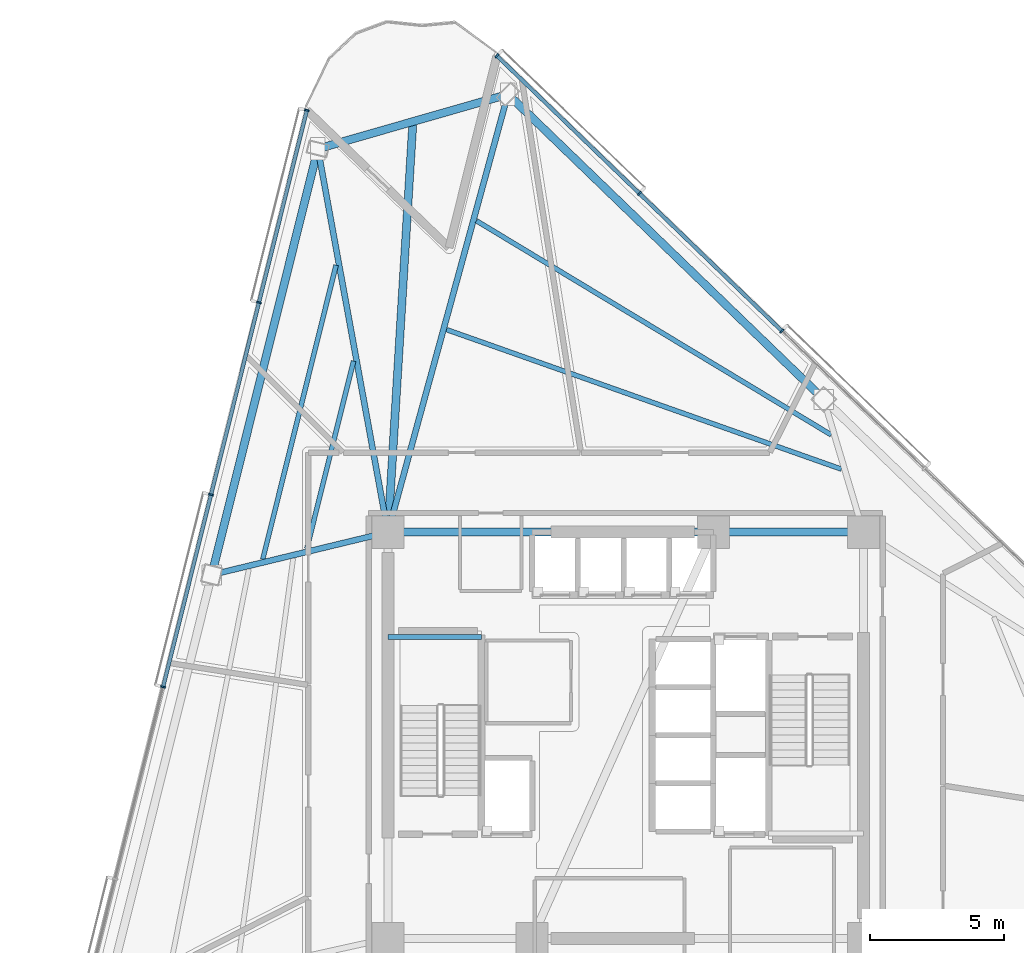
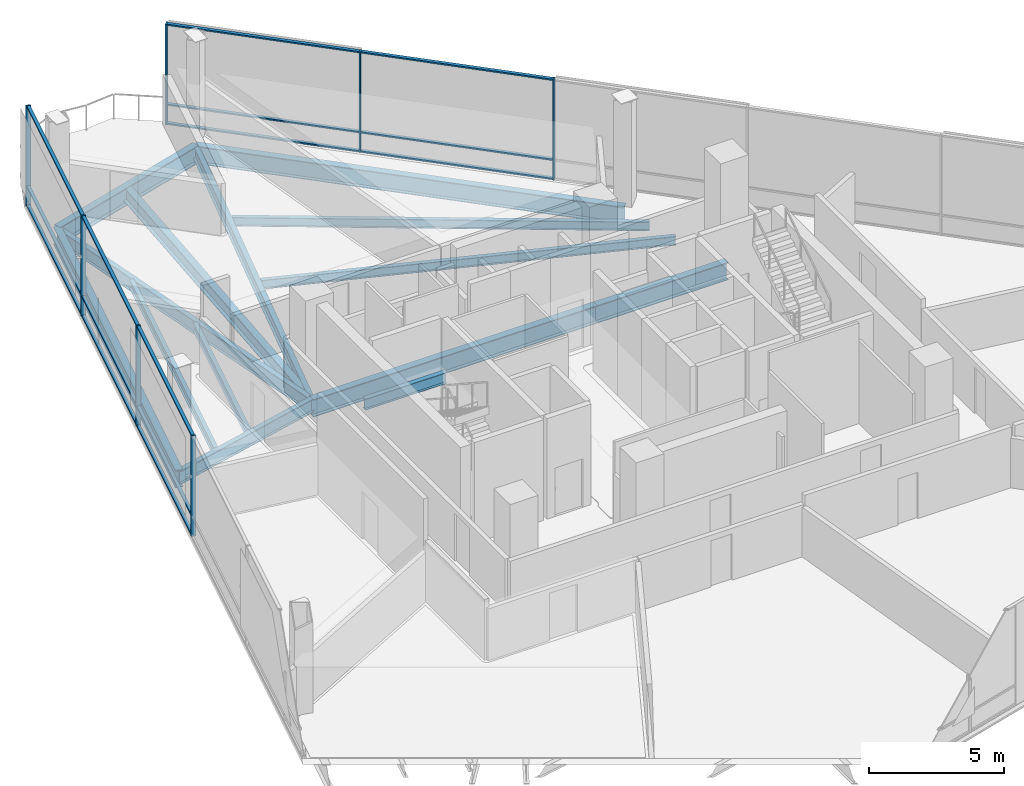
# One storey, part 6 of 18: 22 members, 14 beams, 2 elements without a shape of their own.
"""IFC4 building model written with IfcOpenShell, lengths in metres."""

import ifcopenshell
import ifcopenshell.guid

model = None  # the IFC model being written
_history = None  # IfcOwnerHistory: only IFC2X3 demands one
_inside = {}  # id of a spatial element -> (the spatial element, [elements in it])
_under = {}  # id of a project, library or spatial element -> (it, [spatial elements below it])
_declared = {}  # id of a project -> (the project, [libraries it declares])
_typed = {}  # id of a type object -> (the type object, [elements of that type])
_made_of = {}  # id of a material, layer set ... -> (it, [elements and type objects made of it])


def new_model(schema):
    """Start an empty IFC model of exactly this schema.

    Asked for "IFC4X3", IfcOpenShell would pick the latest addendum, in which some entities
    have other attributes; the version numbers below select the first issue.
    IFC2X3 requires an IfcOwnerHistory on every rooted entity: one is made here for all.
    """
    global model, _history
    if schema == "IFC4X3":
        model = ifcopenshell.file(schema_version=(4, 3, 0, 0))
    else:
        model = ifcopenshell.file(schema=schema)
    _inside.clear()
    _under.clear()
    _declared.clear()
    _typed.clear()
    _made_of.clear()
    _history = None
    if model.schema == "IFC2X3":
        org = make("IfcOrganization", Name="unknown")
        user = make(
            "IfcPersonAndOrganization",
            ThePerson=make("IfcPerson", FamilyName="unknown"),
            TheOrganization=org,
        )
        app = make(
            "IfcApplication",
            ApplicationDeveloper=org,
            Version="unknown",
            ApplicationFullName="unknown",
            ApplicationIdentifier="unknown",
        )
        _history = make(
            "IfcOwnerHistory",
            OwningUser=user,
            OwningApplication=app,
            ChangeAction="ADDED",
            CreationDate=0,
        )
    return model


def make(cls, **values):
    """One entity of the class cls with the attributes given. An attribute that is None is left unset."""
    return model.create_entity(
        cls, **{name: value for name, value in values.items() if value is not None}
    )


def rooted(cls, **values):
    """An entity with a GlobalId (a new one), such as an element, a storey or a relation."""
    return make(cls, GlobalId=ifcopenshell.guid.new(), OwnerHistory=_history, **values)


def si_unit(unit_type, name, prefix=None):
    """IfcSIUnit, for example si_unit("LENGTHUNIT", "METRE", prefix="MILLI")."""
    return make("IfcSIUnit", UnitType=unit_type, Prefix=prefix, Name=name)


def assignment(units):
    """IfcUnitAssignment: the units of a project."""
    return None if units is None else make("IfcUnitAssignment", Units=units)


def point(xyz):
    """IfcCartesianPoint."""
    return None if xyz is None else make("IfcCartesianPoint", Coordinates=xyz)


def direction(xyz):
    """IfcDirection."""
    return None if xyz is None else make("IfcDirection", DirectionRatios=xyz)


def frame(location, z_axis=None, x_axis=None):
    """IfcAxis2Placement3D, a coordinate frame: its origin and axes. An axis left out is left unset."""
    return make(
        "IfcAxis2Placement3D",
        Location=point(location),
        Axis=direction(z_axis),
        RefDirection=direction(x_axis),
    )


def frame_2d(location, x_axis=None):
    """IfcAxis2Placement2D, a coordinate frame in the plane: its origin and x axis."""
    return make(
        "IfcAxis2Placement2D", Location=point(location), RefDirection=direction(x_axis)
    )


def origin():
    """The frame at (0, 0, 0) with its axes left unset."""
    return frame((0.0, 0.0, 0.0))


def origin_2d():
    """The frame at (0, 0) in the plane with its x axis left unset."""
    return frame_2d((0.0, 0.0))


def place(relative_to, where):
    """IfcLocalPlacement: puts the frame where relative to a parent placement (None: the world)."""
    return make(
        "IfcLocalPlacement", PlacementRelTo=relative_to, RelativePlacement=where
    )


def context(
    kind, dimensions, precision=None, world=None, true_north=None, identifier=None
):
    """IfcGeometricRepresentationContext, for example the 3D "Model" context."""
    return make(
        "IfcGeometricRepresentationContext",
        ContextIdentifier=identifier,
        ContextType=kind,
        CoordinateSpaceDimension=dimensions,
        Precision=precision,
        WorldCoordinateSystem=world,
        TrueNorth=true_north,
    )


def subcontext(parent, identifier, kind, view, scale=None):
    """IfcGeometricRepresentationSubContext, for example "Body" below "Model"."""
    return make(
        "IfcGeometricRepresentationSubContext",
        ContextIdentifier=identifier,
        ContextType=kind,
        ParentContext=parent,
        TargetScale=scale,
        TargetView=view,
    )


def project(units=None, contexts=None):
    """IfcProject with its units and contexts."""
    return rooted(
        "IfcProject",
        Name="project",
        RepresentationContexts=contexts,
        UnitsInContext=assignment(units),
    )


def spatial(cls, under=None, at=None, **own):
    """A site, building, storey or space (cls), placed at a placement, below another one or the project."""
    s = rooted(cls, ObjectPlacement=at, **own)
    if under is not None:
        _under.setdefault(under.id(), (under, []))[1].append(s)
    return s


def profile(cls, at=None, kind="AREA", **sizes):
    """A parametric profile (cls). Its sizes go by their IFC names, for example OverallWidth=200.0."""
    return make(cls, ProfileType=kind, Position=at, **sizes)


def rectangle(**sizes):
    """IfcRectangleProfileDef."""
    return profile("IfcRectangleProfileDef", **sizes)


def i_section(**sizes):
    """IfcIShapeProfileDef."""
    return profile("IfcIShapeProfileDef", **sizes)


def extrude(swept, where, along, depth):
    """IfcExtrudedAreaSolid: the profile swept, set in the frame where, extruded along a direction by depth."""
    return make(
        "IfcExtrudedAreaSolid",
        SweptArea=swept,
        Position=where,
        ExtrudedDirection=direction(along),
        Depth=depth,
    )


def shape(context_of_items, identifier, shape_type, items):
    """IfcShapeRepresentation: the items that make up one representation, for example the "Body"."""
    return make(
        "IfcShapeRepresentation",
        ContextOfItems=context_of_items,
        RepresentationIdentifier=identifier,
        RepresentationType=shape_type,
        Items=items,
    )


def material(Name=None, Category=None):
    """IfcMaterial."""
    return make("IfcMaterial", Name=Name, Category=Category)


def layer(
    of_material, thickness, ventilated=None, Name=None, Category=None, Priority=None
):
    """IfcMaterialLayer: one layer of a wall or slab, of a material (None: an air gap)."""
    return make(
        "IfcMaterialLayer",
        Material=of_material,
        LayerThickness=thickness,
        IsVentilated=ventilated,
        Name=Name,
        Category=Category,
        Priority=Priority,
    )


def layer_set(layers, Name=None):
    """IfcMaterialLayerSet."""
    return make("IfcMaterialLayerSet", MaterialLayers=layers, LayerSetName=Name)


def material_profile(
    of_material, cross_section, Name=None, Category=None, Priority=None
):
    """IfcMaterialProfile: a cross section and its material."""
    return make(
        "IfcMaterialProfile",
        Name=Name,
        Material=of_material,
        Profile=cross_section,
        Priority=Priority,
        Category=Category,
    )


def profile_set(profiles, Name=None, composite=None):
    """IfcMaterialProfileSet."""
    return make(
        "IfcMaterialProfileSet",
        Name=Name,
        MaterialProfiles=profiles,
        CompositeProfile=composite,
    )


def made_of(thing, what):
    """Note that an element or type object is made of a material, layer set ...; save() writes the relation."""
    if what is not None:
        _made_of.setdefault(what.id(), (what, []))[1].append(thing)
    return thing


def type_object(cls, material=None, **own):
    """A type object (cls), such as IfcWallType, which elements share."""
    return made_of(rooted(cls, **own), material)


def element(
    cls,
    number,
    at=None,
    inside=None,
    cuts=None,
    type_object=None,
    material=None,
    context=None,
    identifier="Body",
    shape_type=None,
    held_by="IfcProductDefinitionShape",
    body=None,
    shapes=None,
    **own,
):
    """One element of the class cls, such as IfcWall. Its Tag is "e" and its number.

    at: its placement. inside: the storey or other place that contains it. cuts: it is an
    opening in that element (IfcRelVoidsElement). A single representation is given by context,
    identifier, shape_type and body (its items); several are given by shapes. held_by: the class
    of the entity that holds the representations. save() writes the other relations.
    """
    e = rooted(cls, Tag="e%d" % number, ObjectPlacement=at, **own)
    if body is not None:
        shapes = [shape(context, identifier, shape_type, body)]
    if shapes is not None:
        e.Representation = make(held_by, Representations=shapes)
    if inside is not None:
        _inside.setdefault(inside.id(), (inside, []))[1].append(e)
    if cuts is not None:
        rooted(
            "IfcRelVoidsElement", RelatingBuildingElement=cuts, RelatedOpeningElement=e
        )
    if type_object is not None:
        _typed.setdefault(type_object.id(), (type_object, []))[1].append(e)
    return made_of(e, material)


def aggregate(whole, parts):
    """IfcRelAggregates: a whole, such as a stair, and the parts it consists of."""
    return rooted("IfcRelAggregates", RelatingObject=whole, RelatedObjects=parts)


def save(model, path):
    """Write the relations noted so far, then the file.

    IfcRelAggregates (storeys below a building ...), IfcRelContainedInSpatialStructure (elements
    in a storey), IfcRelDefinesByType, IfcRelAssociatesMaterial and IfcRelDeclares: one each for
    every whole, place, type object, material and project.
    """
    for whole, parts in _under.values():
        aggregate(whole, parts)
    for where, things in _inside.values():
        rooted(
            "IfcRelContainedInSpatialStructure",
            RelatedElements=things,
            RelatingStructure=where,
        )
    for kind, things in _typed.values():
        rooted("IfcRelDefinesByType", RelatedObjects=things, RelatingType=kind)
    for what, things in _made_of.values():
        rooted("IfcRelAssociatesMaterial", RelatedObjects=things, RelatingMaterial=what)
    for by, libraries in _declared.values():
        rooted("IfcRelDeclares", RelatingContext=by, RelatedDefinitions=libraries)
    model.write(path)


model = new_model("IFC4")

# Units and contexts
model_context = context("Model", 3, precision=1e-05, world=origin(), true_north=direction((0.0, 1.0)))
body_context = subcontext(model_context, "Body", "Model", "MODEL_VIEW")
ifc_project = project(units=[si_unit("LENGTHUNIT", "METRE"), si_unit("AREAUNIT", "SQUARE_METRE"), si_unit("VOLUMEUNIT", "CUBIC_METRE"), si_unit("PLANEANGLEUNIT", "RADIAN"), si_unit("MASSUNIT", "GRAM", prefix="KILO")], contexts=[model_context])

# Site, building, storey
site_placement = place(None, origin())
site = spatial("IfcSite", under=ifc_project, at=site_placement, CompositionType="ELEMENT")
building_placement = place(site_placement, origin())
building = spatial("IfcBuilding", under=site, at=building_placement, Name="Tharavind Bronze Gate", CompositionType="ELEMENT")
storey_placement = place(building_placement, frame((0.0, 0.0, 107.699951171875)))
storey = spatial("IfcBuildingStorey", under=building, at=storey_placement, Name="L27", CompositionType="ELEMENT", Elevation=107.699951171875)

# Curtain wall, members
ifc_material_1 = material(Name="Anodised Bronze Aluminium", Category="aluminium")
ifc_layer = layer(ifc_material_1, 0.219970703125)
ifc_layer_set = layer_set([ifc_layer], Name="Anodised Bronze Aluminium")
curtain_wall_type = type_object("IfcCurtainWallType", Name="UNITISED CURTAIN WALL LOWER OFFICE", PredefinedType="USERDEFINED", material=ifc_layer_set)
curtain_wall_1_placement = place(storey_placement, origin())
curtain_wall_1 = element("IfcCurtainWall", 1, at=curtain_wall_1_placement, inside=storey, type_object=curtain_wall_type, Name="L27 unitised curtain wall lower office CW-L27-S1", ObjectType="UNITISED CURTAIN WALL", PredefinedType="USERDEFINED")
member_type_1 = type_object("IfcMemberType", Name="CURTAIN WALL BRONZE MULLION 65X180", PredefinedType="MULLION", material=ifc_material_1)
member_1_placement = place(storey_placement, frame((-11.93359375, 23.394287109375, 0.0), z_axis=(0.0, 0.0, 1.0), x_axis=(-0.2419218956, -0.970295726276, 0.0)))
member_1 = element("IfcMember", 2, at=member_1_placement, type_object=member_type_1, Name="CW-L27-S1 mullion 1", PredefinedType="MULLION", context=body_context, shape_type="SweptSolid", body=[
    extrude(rectangle(XDim=0.06494140625, YDim=0.179931640625, at=origin_2d()), origin(), (0.0, 0.0, 1.0), 4.56005859375),
])
member_2_placement = place(storey_placement, frame((-13.727294921875, 16.2001953125, 0.0), z_axis=(0.0, 0.0, 1.0), x_axis=(-0.2419218956, -0.970295726276, 0.0)))
member_2 = element("IfcMember", 3, at=member_2_placement, type_object=member_type_1, Name="CW-L27-S1 mullion 2", PredefinedType="MULLION", context=body_context, shape_type="SweptSolid", body=[
    extrude(rectangle(XDim=0.06494140625, YDim=0.179931640625, at=origin_2d()), origin(), (0.0, 0.0, 1.0), 4.56005859375),
])
member_3_placement = place(storey_placement, frame((-15.52099609375, 9.00634765625, 0.0), z_axis=(0.0, 0.0, 1.0), x_axis=(-0.2419218956, -0.970295726276, 0.0)))
member_3 = element("IfcMember", 4, at=member_3_placement, type_object=member_type_1, Name="CW-L27-S1 mullion 3", PredefinedType="MULLION", context=body_context, shape_type="SweptSolid", body=[
    extrude(rectangle(XDim=0.06494140625, YDim=0.179931640625, at=origin_2d()), origin(), (0.0, 0.0, 1.0), 4.56005859375),
])
member_4_placement = place(storey_placement, frame((-17.314697265625, 1.812255859375, 0.0), z_axis=(0.0, 0.0, 1.0), x_axis=(-0.2419218956, -0.970295726276, 0.0)))
member_4 = element("IfcMember", 5, at=member_4_placement, type_object=member_type_1, Name="CW-L27-S1 mullion 4", PredefinedType="MULLION", context=body_context, shape_type="SweptSolid", body=[
    extrude(rectangle(XDim=0.06494140625, YDim=0.179931640625, at=origin_2d()), origin(), (0.0, 0.0, 1.0), 4.56005859375),
])

curtain_wall_2_placement = place(storey_placement, origin())
curtain_wall_2 = element("IfcCurtainWall", 6, at=curtain_wall_2_placement, inside=storey, type_object=curtain_wall_type, Name="L27 unitised curtain wall lower office CW-L27-S3", ObjectType="UNITISED CURTAIN WALL", PredefinedType="USERDEFINED")
member_5_placement = place(storey_placement, frame((5.84619140625, 15.13330078125, 0.0), z_axis=(0.0, 0.0, 1.0), x_axis=(-0.719341012745, 0.694657114973, 0.0)))
member_5 = element("IfcMember", 7, at=member_5_placement, type_object=member_type_1, Name="CW-L27-S3 mullion 6", PredefinedType="MULLION", context=body_context, shape_type="SweptSolid", body=[
    extrude(rectangle(XDim=0.06494140625, YDim=0.179931640625, at=origin_2d()), origin(), (0.0, 0.0, 1.0), 4.56005859375),
])
member_6_placement = place(storey_placement, frame((0.512939453125, 20.28369140625, 0.0), z_axis=(0.0, 0.0, 1.0), x_axis=(-0.719341012745, 0.694657114973, 0.0)))
member_6 = element("IfcMember", 8, at=member_6_placement, type_object=member_type_1, Name="CW-L27-S3 mullion 7", PredefinedType="MULLION", context=body_context, shape_type="SweptSolid", body=[
    extrude(rectangle(XDim=0.06494140625, YDim=0.179931640625, at=origin_2d()), origin(), (0.0, 0.0, 1.0), 4.56005859375),
])
member_7_placement = place(storey_placement, frame((-4.8203125, 25.433837890625, 0.0), z_axis=(0.0, 0.0, 1.0), x_axis=(-0.719341012745, 0.694657114973, 0.0)))
member_7 = element("IfcMember", 9, at=member_7_placement, type_object=member_type_1, Name="CW-L27-S3 mullion 8", PredefinedType="MULLION", context=body_context, shape_type="SweptSolid", body=[
    extrude(rectangle(XDim=0.06494140625, YDim=0.179931640625, at=origin_2d()), origin(), (0.0, 0.0, 1.0), 4.56005859375),
])

# Member
member_type_2 = type_object("IfcMemberType", Name="CURTAIN WALL BRONZE TRANSOM 65X140", PredefinedType="USERDEFINED", material=ifc_material_1)
member_8_placement = place(storey_placement, frame((-12.83056640625, 19.797119140625, 0.0), z_axis=(0.0, 0.0, 1.0), x_axis=(-0.2419218956, -0.970295726276, 0.0)))
member_8 = element("IfcMember", 10, at=member_8_placement, type_object=member_type_2, Name="CW-L27-S1 transom TB1", ObjectType="TRANSOM", PredefinedType="USERDEFINED", context=body_context, shape_type="SweptSolid", body=[
    extrude(rectangle(XDim=7.361083984375, YDim=0.139892578125, at=origin_2d()), origin(), (0.0, 0.0, 1.0), 0.06494140625),
])

member_9_placement = place(storey_placement, frame((-12.83056640625, 19.797119140625, 0.86767578125), z_axis=(0.0, 0.0, 1.0), x_axis=(-0.2419218956, -0.970295726276, 0.0)))
member_9 = element("IfcMember", 11, at=member_9_placement, type_object=member_type_2, Name="CW-L27-S1 transom TS1", ObjectType="TRANSOM", PredefinedType="USERDEFINED", context=body_context, shape_type="SweptSolid", body=[
    extrude(rectangle(XDim=7.361083984375, YDim=0.139892578125, at=origin_2d()), origin(), (0.0, 0.0, 1.0), 0.06494140625),
])

member_10_placement = place(storey_placement, frame((-12.83056640625, 19.797119140625, 4.4951171875), z_axis=(0.0, 0.0, 1.0), x_axis=(-0.2419218956, -0.970295726276, 0.0)))
member_10 = element("IfcMember", 12, at=member_10_placement, type_object=member_type_2, Name="CW-L27-S1 transom TT1", ObjectType="TRANSOM", PredefinedType="USERDEFINED", context=body_context, shape_type="SweptSolid", body=[
    extrude(rectangle(XDim=7.361083984375, YDim=0.139892578125, at=origin_2d()), origin(), (0.0, 0.0, 1.0), 0.06494140625),
])

member_11_placement = place(storey_placement, frame((-14.624267578125, 12.603271484375, 0.0), z_axis=(0.0, 0.0, 1.0), x_axis=(-0.2419218956, -0.970295726276, 0.0)))
member_11 = element("IfcMember", 13, at=member_11_placement, type_object=member_type_2, Name="CW-L27-S1 transom TB2", ObjectType="TRANSOM", PredefinedType="USERDEFINED", context=body_context, shape_type="SweptSolid", body=[
    extrude(rectangle(XDim=7.361083984375, YDim=0.139892578125, at=origin_2d()), origin(), (0.0, 0.0, 1.0), 0.06494140625),
])

member_12_placement = place(storey_placement, frame((-14.624267578125, 12.603271484375, 0.86767578125), z_axis=(0.0, 0.0, 1.0), x_axis=(-0.2419218956, -0.970295726276, 0.0)))
member_12 = element("IfcMember", 14, at=member_12_placement, type_object=member_type_2, Name="CW-L27-S1 transom TS2", ObjectType="TRANSOM", PredefinedType="USERDEFINED", context=body_context, shape_type="SweptSolid", body=[
    extrude(rectangle(XDim=7.361083984375, YDim=0.139892578125, at=origin_2d()), origin(), (0.0, 0.0, 1.0), 0.06494140625),
])

member_13_placement = place(storey_placement, frame((-14.624267578125, 12.603271484375, 4.4951171875), z_axis=(0.0, 0.0, 1.0), x_axis=(-0.2419218956, -0.970295726276, 0.0)))
member_13 = element("IfcMember", 15, at=member_13_placement, type_object=member_type_2, Name="CW-L27-S1 transom TT2", ObjectType="TRANSOM", PredefinedType="USERDEFINED", context=body_context, shape_type="SweptSolid", body=[
    extrude(rectangle(XDim=7.361083984375, YDim=0.139892578125, at=origin_2d()), origin(), (0.0, 0.0, 1.0), 0.06494140625),
])

member_14_placement = place(storey_placement, frame((-16.417724609375, 5.4091796875, 0.0), z_axis=(0.0, 0.0, 1.0), x_axis=(-0.2419218956, -0.970295726276, 0.0)))
member_14 = element("IfcMember", 16, at=member_14_placement, type_object=member_type_2, Name="CW-L27-S1 transom TB3", ObjectType="TRANSOM", PredefinedType="USERDEFINED", context=body_context, shape_type="SweptSolid", body=[
    extrude(rectangle(XDim=7.361083984375, YDim=0.139892578125, at=origin_2d()), origin(), (0.0, 0.0, 1.0), 0.06494140625),
])

member_15_placement = place(storey_placement, frame((-16.417724609375, 5.4091796875, 0.86767578125), z_axis=(0.0, 0.0, 1.0), x_axis=(-0.2419218956, -0.970295726276, 0.0)))
member_15 = element("IfcMember", 17, at=member_15_placement, type_object=member_type_2, Name="CW-L27-S1 transom TS3", ObjectType="TRANSOM", PredefinedType="USERDEFINED", context=body_context, shape_type="SweptSolid", body=[
    extrude(rectangle(XDim=7.361083984375, YDim=0.139892578125, at=origin_2d()), origin(), (0.0, 0.0, 1.0), 0.06494140625),
])

member_16_placement = place(storey_placement, frame((-16.417724609375, 5.4091796875, 4.4951171875), z_axis=(0.0, 0.0, 1.0), x_axis=(-0.2419218956, -0.970295726276, 0.0)))
member_16 = element("IfcMember", 18, at=member_16_placement, type_object=member_type_2, Name="CW-L27-S1 transom TT3", ObjectType="TRANSOM", PredefinedType="USERDEFINED", context=body_context, shape_type="SweptSolid", body=[
    extrude(rectangle(XDim=7.361083984375, YDim=0.139892578125, at=origin_2d()), origin(), (0.0, 0.0, 1.0), 0.06494140625),
])

aggregate(curtain_wall_1, [member_1, member_2, member_3, member_4, member_8, member_9, member_10, member_11, member_12, member_13, member_14, member_15, member_16])

member_17_placement = place(storey_placement, frame((3.1796875, 17.70849609375, 0.0), z_axis=(0.0, 0.0, 1.0), x_axis=(-0.719341012745, 0.694657114973, 0.0)))
member_17 = element("IfcMember", 19, at=member_17_placement, type_object=member_type_2, Name="CW-L27-S3 transom TB6", ObjectType="TRANSOM", PredefinedType="USERDEFINED", context=body_context, shape_type="SweptSolid", body=[
    extrude(rectangle(XDim=7.361083984375, YDim=0.139892578125, at=origin_2d()), origin(), (0.0, 0.0, 1.0), 0.06494140625),
])

member_18_placement = place(storey_placement, frame((3.1796875, 17.70849609375, 0.86767578125), z_axis=(0.0, 0.0, 1.0), x_axis=(-0.719341012745, 0.694657114973, 0.0)))
member_18 = element("IfcMember", 20, at=member_18_placement, type_object=member_type_2, Name="CW-L27-S3 transom TS6", ObjectType="TRANSOM", PredefinedType="USERDEFINED", context=body_context, shape_type="SweptSolid", body=[
    extrude(rectangle(XDim=7.361083984375, YDim=0.139892578125, at=origin_2d()), origin(), (0.0, 0.0, 1.0), 0.06494140625),
])

member_19_placement = place(storey_placement, frame((3.1796875, 17.70849609375, 4.4951171875), z_axis=(0.0, 0.0, 1.0), x_axis=(-0.719341012745, 0.694657114973, 0.0)))
member_19 = element("IfcMember", 21, at=member_19_placement, type_object=member_type_2, Name="CW-L27-S3 transom TT6", ObjectType="TRANSOM", PredefinedType="USERDEFINED", context=body_context, shape_type="SweptSolid", body=[
    extrude(rectangle(XDim=7.361083984375, YDim=0.139892578125, at=origin_2d()), origin(), (0.0, 0.0, 1.0), 0.06494140625),
])

member_20_placement = place(storey_placement, frame((-2.15380859375, 22.858642578125, 0.0), z_axis=(0.0, 0.0, 1.0), x_axis=(-0.719341012745, 0.694657114973, 0.0)))
member_20 = element("IfcMember", 22, at=member_20_placement, type_object=member_type_2, Name="CW-L27-S3 transom TB7", ObjectType="TRANSOM", PredefinedType="USERDEFINED", context=body_context, shape_type="SweptSolid", body=[
    extrude(rectangle(XDim=7.361083984375, YDim=0.139892578125, at=origin_2d()), origin(), (0.0, 0.0, 1.0), 0.06494140625),
])

member_21_placement = place(storey_placement, frame((-2.15380859375, 22.858642578125, 0.86767578125), z_axis=(0.0, 0.0, 1.0), x_axis=(-0.719341012745, 0.694657114973, 0.0)))
member_21 = element("IfcMember", 23, at=member_21_placement, type_object=member_type_2, Name="CW-L27-S3 transom TS7", ObjectType="TRANSOM", PredefinedType="USERDEFINED", context=body_context, shape_type="SweptSolid", body=[
    extrude(rectangle(XDim=7.361083984375, YDim=0.139892578125, at=origin_2d()), origin(), (0.0, 0.0, 1.0), 0.06494140625),
])

member_22_placement = place(storey_placement, frame((-2.15380859375, 22.858642578125, 4.4951171875), z_axis=(0.0, 0.0, 1.0), x_axis=(-0.719341012745, 0.694657114973, 0.0)))
member_22 = element("IfcMember", 24, at=member_22_placement, type_object=member_type_2, Name="CW-L27-S3 transom TT7", ObjectType="TRANSOM", PredefinedType="USERDEFINED", context=body_context, shape_type="SweptSolid", body=[
    extrude(rectangle(XDim=7.361083984375, YDim=0.139892578125, at=origin_2d()), origin(), (0.0, 0.0, 1.0), 0.06494140625),
])

aggregate(curtain_wall_2, [member_5, member_6, member_7, member_17, member_18, member_19, member_20, member_21, member_22])

# Beams
ifc_material_2 = material(Name="Steel S355", Category="steel")
ifc_material_profile_1 = material_profile(ifc_material_2, i_section(OverallWidth=0.300048828125, OverallDepth=0.64990234375, WebThickness=0.01611328125, FlangeThickness=0.031005859375, at=origin_2d()), Name="HE650B")
ifc_profile_set_1 = profile_set([ifc_material_profile_1], Name="Steel S355")
beam_type_1 = type_object("IfcBeamType", Name="PRIMARY GIRDER HE650B", PredefinedType="USERDEFINED", material=ifc_profile_set_1)
beam_1_placement = place(storey_placement, frame((-8.89990234375, 7.60009765625, -0.514892578125), z_axis=(0.060795156935, 0.998150263684, 0.0), x_axis=(-0.998150263684, 0.060795156935, 0.0)))
element("IfcBeam", 25, at=beam_1_placement, inside=storey, type_object=beam_type_1, Name="L27 primary girder he650b BM-L27-BLCSB", ObjectType="GIRDER", PredefinedType="USERDEFINED", context=body_context, shape_type="SweptSolid", body=[
    extrude(i_section(OverallWidth=0.300048828125, OverallDepth=0.64990234375, WebThickness=0.01611328125, FlangeThickness=0.031005859375, at=origin_2d()), origin(), (0.0, 0.0, 1.0), 15.400634765625),
])
ifc_material_profile_2 = material_profile(ifc_material_2, i_section(OverallWidth=0.199951171875, OverallDepth=0.5, WebThickness=0.01025390625, FlangeThickness=0.01611328125, at=origin_2d()), Name="IPE500")
ifc_profile_set_2 = profile_set([ifc_material_profile_2], Name="Steel S355")
beam_type_2 = type_object("IfcBeamType", Name="PRIMARY GIRDER IPE500", PredefinedType="USERDEFINED", material=ifc_profile_set_2)
beam_2_placement = place(storey_placement, frame((-8.89990234375, 3.679931640625, 1.925048828125), z_axis=(1.0, 0.0, 0.0), x_axis=(0.0, 1.0, 0.0)))
element("IfcBeam", 26, at=beam_2_placement, inside=storey, type_object=beam_type_2, Name="L27 primary girder ipe500 BM-LD-ST1-L27-1", ObjectType="GIRDER", PredefinedType="USERDEFINED", context=body_context, shape_type="SweptSolid", body=[
    extrude(i_section(OverallWidth=0.199951171875, OverallDepth=0.5, WebThickness=0.01025390625, FlangeThickness=0.01611328125, at=origin_2d()), origin(), (0.0, 0.0, 1.0), 3.5),
])
ifc_material_profile_3 = material_profile(ifc_material_2, i_section(OverallWidth=0.219970703125, OverallDepth=0.60009765625, WebThickness=0.011962890625, FlangeThickness=0.01904296875, at=origin_2d()), Name="IPE600")
ifc_profile_set_3 = profile_set([ifc_material_profile_3], Name="Steel S355")
beam_type_3 = type_object("IfcBeamType", Name="PRIMARY GIRDER IPE600", PredefinedType="USERDEFINED", material=ifc_profile_set_3)
beam_3_placement = place(storey_placement, frame((-11.520263671875, 21.952392578125, -0.489990234375), z_axis=(0.179605485625, -0.983738720156, 0.0), x_axis=(0.983738720156, 0.179605485625, 0.0)))
element("IfcBeam", 27, at=beam_3_placement, inside=storey, type_object=beam_type_3, Name="L27 primary girder ipe600 BM-L27-RAD01", ObjectType="GIRDER", PredefinedType="USERDEFINED", context=body_context, shape_type="SweptSolid", body=[
    extrude(i_section(OverallWidth=0.219970703125, OverallDepth=0.60009765625, WebThickness=0.011962890625, FlangeThickness=0.01904296875, at=origin_2d()), origin(), (0.0, 0.0, 1.0), 14.589599609375),
])
beam_4_placement = place(storey_placement, frame((-15.495849609375, 6.006591796875, -0.489990234375), z_axis=(0.972035781116, 0.234832792069, 0.0), x_axis=(-0.234832792069, 0.972035781116, 0.0)))
element("IfcBeam", 28, at=beam_4_placement, inside=storey, type_object=beam_type_3, Name="L27 primary girder ipe600 BM-L27-RAD02", ObjectType="GIRDER", PredefinedType="USERDEFINED", context=body_context, shape_type="SweptSolid", body=[
    extrude(i_section(OverallWidth=0.219970703125, OverallDepth=0.60009765625, WebThickness=0.011962890625, FlangeThickness=0.01904296875, at=origin_2d()), origin(), (0.0, 0.0, 1.0), 6.78564453125),
])
beam_5_placement = place(storey_placement, frame((-4.406982421875, 23.9921875, -0.489990234375), z_axis=(-0.26434111933, -0.964429247084, 0.0), x_axis=(0.964429247084, -0.26434111933, 0.0)))
element("IfcBeam", 29, at=beam_5_placement, inside=storey, type_object=beam_type_3, Name="L27 primary girder ipe600 BM-L27-RAD12", ObjectType="GIRDER", PredefinedType="USERDEFINED", context=body_context, shape_type="SweptSolid", body=[
    extrude(i_section(OverallWidth=0.219970703125, OverallDepth=0.60009765625, WebThickness=0.011962890625, FlangeThickness=0.01904296875, at=origin_2d()), origin(), (0.0, 0.0, 1.0), 16.99658203125),
])
ifc_material_profile_4 = material_profile(ifc_material_2, i_section(OverallWidth=0.300048828125, OverallDepth=0.800048828125, WebThickness=0.017578125, FlangeThickness=0.032958984375, at=origin_2d()), Name="HE800B")
ifc_profile_set_4 = profile_set([ifc_material_profile_4], Name="Steel S355")
beam_type_4 = type_object("IfcBeamType", Name="RING GIRDER HE800B", PredefinedType="USERDEFINED", material=ifc_profile_set_4)
beam_6_placement = place(storey_placement, frame((8.89990234375, 7.60009765625, -0.58984375), z_axis=(-1.0, 0.0, 0.0), x_axis=(0.0, -1.0, 0.0)))
element("IfcBeam", 30, at=beam_6_placement, inside=storey, type_object=beam_type_4, Name="L27 ring girder he800b BM-L27-CR4", ObjectType="GIRDER", PredefinedType="USERDEFINED", context=body_context, shape_type="SweptSolid", body=[
    extrude(i_section(OverallWidth=0.300048828125, OverallDepth=0.800048828125, WebThickness=0.017578125, FlangeThickness=0.032958984375, at=origin_2d()), origin(), (0.0, 0.0, 1.0), 5.619873046875),
])
beam_7_placement = place(storey_placement, frame((3.280029296875, 7.60009765625, -0.58984375), z_axis=(-1.0, 0.0, 0.0), x_axis=(0.0, -1.0, 0.0)))
element("IfcBeam", 31, at=beam_7_placement, inside=storey, type_object=beam_type_4, Name="L27 ring girder he800b BM-L27-CR5", ObjectType="GIRDER", PredefinedType="USERDEFINED", context=body_context, shape_type="SweptSolid", body=[
    extrude(i_section(OverallWidth=0.300048828125, OverallDepth=0.800048828125, WebThickness=0.017578125, FlangeThickness=0.032958984375, at=origin_2d()), origin(), (0.0, 0.0, 1.0), 12.179931640625),
])
for number, where, z_axis, x_axis, name in (
    (32, (-11.520263671875, 21.952392578125, -0.58984375), (-0.241913375366, -0.970297850569, 0.0), (0.970297850569, -0.241913375366, 0.0), "L27 ring girder he800b BM-L27-PRG01"),
    (33, (7.41455078125, 12.576171875, -0.58984375), (-0.719336950964, 0.694661321061, 0.0), (-0.694661321061, -0.719336950964, 0.0), "L27 ring girder he800b BM-L27-PRG11"),
):
    element("IfcBeam", number, at=place(storey_placement, frame(where, z_axis=z_axis, x_axis=x_axis)), inside=storey, type_object=beam_type_4, Name=name, ObjectType="GIRDER", PredefinedType="USERDEFINED", context=body_context, shape_type="SweptSolid", body=[
        extrude(i_section(OverallWidth=0.300048828125, OverallDepth=0.800048828125, WebThickness=0.017578125, FlangeThickness=0.032958984375, at=origin_2d()), origin(), (0.0, 0.0, 1.0), 16.433837890625),
    ])
beam_8_placement = place(storey_placement, frame((-4.406982421875, 23.9921875, -0.58984375), z_axis=(-0.961258317766, -0.275649136633, 0.0), x_axis=(0.275649136633, -0.961258317766, 0.0)))
element("IfcBeam", 34, at=beam_8_placement, inside=storey, type_object=beam_type_4, Name="L27 ring girder he800b BM-L27-PRG12", ObjectType="GIRDER", PredefinedType="USERDEFINED", context=body_context, shape_type="SweptSolid", body=[
    extrude(i_section(OverallWidth=0.300048828125, OverallDepth=0.800048828125, WebThickness=0.017578125, FlangeThickness=0.032958984375, at=origin_2d()), origin(), (0.0, 0.0, 1.0), 7.39990234375),
])
ifc_material_profile_5 = material_profile(ifc_material_2, i_section(OverallWidth=0.179931640625, OverallDepth=0.39990234375, WebThickness=0.008544921875, FlangeThickness=0.013427734375, at=origin_2d()), Name="IPE400")
ifc_profile_set_5 = profile_set([ifc_material_profile_5], Name="Steel S355")
beam_type_5 = type_object("IfcBeamType", Name="SECONDARY FLOOR JOIST IPE400", PredefinedType="JOIST", material=ifc_profile_set_5)
beam_9_placement = place(storey_placement, frame((-10.183837890625, 14.010986328125, -0.389892578125), z_axis=(-0.241924860908, -0.970294986937, 0.0), x_axis=(0.970294986937, -0.241924860908, 0.0)))
element("IfcBeam", 35, at=beam_9_placement, inside=storey, type_object=beam_type_5, Name="L27 secondary floor joist ipe400 BM-L27-JSTA01", PredefinedType="JOIST", context=body_context, shape_type="SweptSolid", body=[
    extrude(i_section(OverallWidth=0.179931640625, OverallDepth=0.39990234375, WebThickness=0.008544921875, FlangeThickness=0.013427734375, at=origin_2d()), origin(), (0.0, 0.0, 1.0), 7.24267578125),
])
beam_10_placement = place(storey_placement, frame((-10.839111328125, 17.59912109375, -0.389892578125), z_axis=(-0.241923228162, -0.97029539403, 0.0), x_axis=(0.97029539403, -0.241923228162, 0.0)))
element("IfcBeam", 36, at=beam_10_placement, inside=storey, type_object=beam_type_5, Name="L27 secondary floor joist ipe400 BM-L27-JSTB01", PredefinedType="JOIST", context=body_context, shape_type="SweptSolid", body=[
    extrude(i_section(OverallWidth=0.179931640625, OverallDepth=0.39990234375, WebThickness=0.008544921875, FlangeThickness=0.013427734375, at=origin_2d()), origin(), (0.0, 0.0, 1.0), 11.35107421875),
])
beam_11_placement = place(storey_placement, frame((8.0771484375, 9.960693359375, -0.389892578125), z_axis=(-0.942851952472, 0.333211938141, 0.0), x_axis=(-0.333211938141, -0.942851952472, 0.0)))
element("IfcBeam", 37, at=beam_11_placement, inside=storey, type_object=beam_type_5, Name="L27 secondary floor joist ipe400 BM-L27-JSTA11", PredefinedType="JOIST", context=body_context, shape_type="SweptSolid", body=[
    extrude(i_section(OverallWidth=0.179931640625, OverallDepth=0.39990234375, WebThickness=0.008544921875, FlangeThickness=0.013427734375, at=origin_2d()), origin(), (0.0, 0.0, 1.0), 15.67578125),
])
beam_12_placement = place(storey_placement, frame((7.694580078125, 11.244384765625, -0.389892578125), z_axis=(-0.856169414419, 0.516695203977, 0.0), x_axis=(-0.516695203977, -0.856169414419, 0.0)))
element("IfcBeam", 38, at=beam_12_placement, inside=storey, type_object=beam_type_5, Name="L27 secondary floor joist ipe400 BM-L27-JSTB11", PredefinedType="JOIST", context=body_context, shape_type="SweptSolid", body=[
    extrude(i_section(OverallWidth=0.179931640625, OverallDepth=0.39990234375, WebThickness=0.008544921875, FlangeThickness=0.013427734375, at=origin_2d()), origin(), (0.0, 0.0, 1.0), 15.51171875),
])

save(model, "model.ifc")
